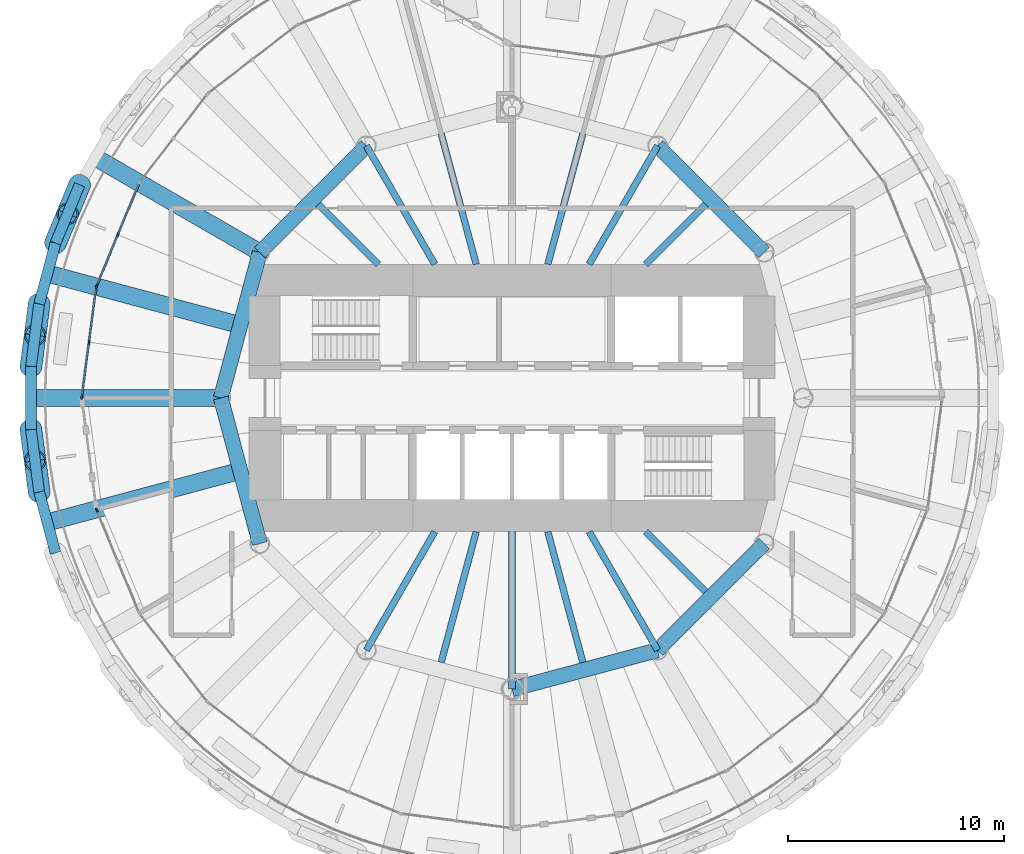
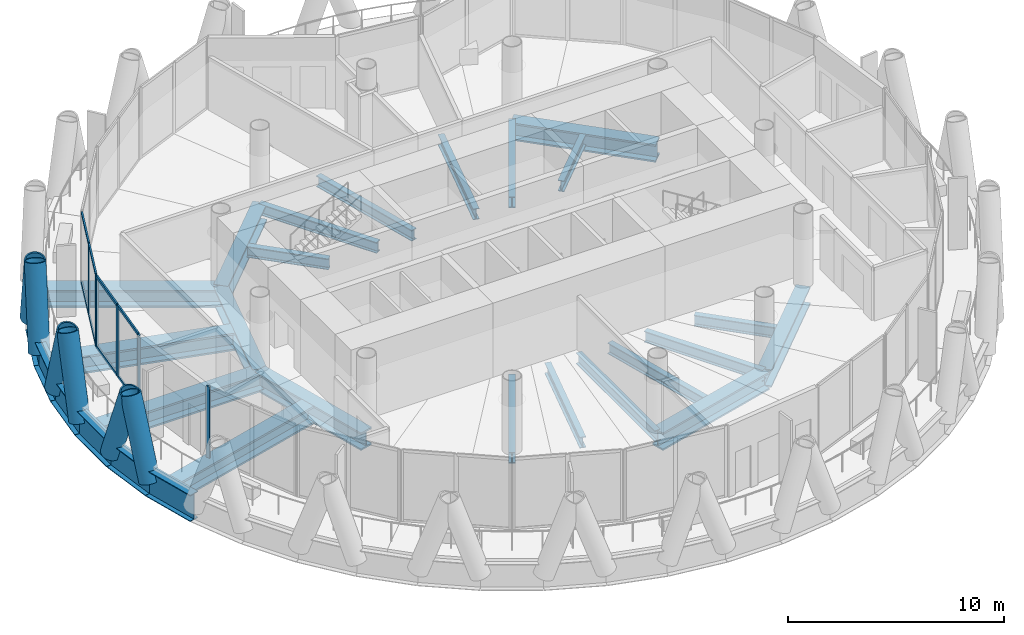
# One storey, part 3 of 14: 28 beams, 20 members, 3 elements without a shape of their own.
"""IFC4 building model written with IfcOpenShell, lengths in metres."""

from ifc_helpers import new_model, si_unit, direction, frame, origin, origin_2d, place, context, subcontext, project, spatial, rectangle, hollow_circle, i_section, extrude, material, material_profile, profile_set, type_object, element, aggregate, save


model = new_model("IFC4")

# Units and contexts
model_context = context("Model", 3, precision=1e-05, world=origin(), true_north=direction((0.0, 1.0)))
body_context = subcontext(model_context, "Body", "Model", "MODEL_VIEW")
ifc_project = project(units=[si_unit("LENGTHUNIT", "METRE"), si_unit("AREAUNIT", "SQUARE_METRE"), si_unit("VOLUMEUNIT", "CUBIC_METRE"), si_unit("PLANEANGLEUNIT", "RADIAN"), si_unit("MASSUNIT", "GRAM", prefix="KILO")], contexts=[model_context])

# Site, building, storey
site_placement = place(None, origin())
site = spatial("IfcSite", under=ifc_project, at=site_placement, CompositionType="ELEMENT")
building_placement = place(site_placement, origin())
building = spatial("IfcBuilding", under=site, at=building_placement, Name="Qaws Media Tower", CompositionType="ELEMENT")
storey_placement = place(building_placement, frame((0.0, 0.0, 248.60009765625)))
storey = spatial("IfcBuildingStorey", under=building, at=storey_placement, Name="L57", CompositionType="ELEMENT", Elevation=248.60009765625)

# Curtain wall, members
ifc_material_1 = material(Name="Aluminium and clear glass", Category="aluminium")
curtain_wall_type = type_object("IfcCurtainWallType", Name="Unitised curtain wall CW-C", PredefinedType="NOTDEFINED", material=ifc_material_1)
curtain_wall_1_placement = place(storey_placement, origin())
curtain_wall_1 = element("IfcCurtainWall", 1, at=curtain_wall_1_placement, inside=storey, type_object=curtain_wall_type, Name="CWC curtain wall L57-11", PredefinedType="NOTDEFINED")
ifc_material_2 = material(Name="Aluminium mullion", Category="aluminium")
ifc_material_profile_1 = material_profile(ifc_material_2, rectangle(XDim=0.080078125, YDim=0.199951171875, at=origin_2d()), Name="80x200")
ifc_profile_set_1 = profile_set([ifc_material_profile_1], Name="Aluminium mullion")
member_type_1 = type_object("IfcMemberType", Name="Curtain wall mullion 80x200", PredefinedType="MULLION", material=ifc_profile_set_1)
member_1_placement = place(storey_placement, frame((41.726318359375, 57.5693359375, 0.0), z_axis=(0.0, 0.0, 1.0), x_axis=(0.923879560223, -0.382683365464, 0.0)))
member_1 = element("IfcMember", 2, at=member_1_placement, type_object=member_type_1, Name="CWC mullion 2", PredefinedType="MULLION", context=body_context, shape_type="SweptSolid", body=[
    extrude(rectangle(XDim=0.080078125, YDim=0.199951171875, at=origin_2d()), origin(), (0.0, 0.0, 1.0), 4.039794921875),
])
member_2_placement = place(storey_placement, frame((40.7451171875, 55.200439453125, 0.0), z_axis=(0.0, 0.0, 1.0), x_axis=(0.923879560223, -0.382683365464, 0.0)))
member_2 = element("IfcMember", 3, at=member_2_placement, type_object=member_type_1, Name="CWC mullion 3", PredefinedType="MULLION", context=body_context, shape_type="SweptSolid", body=[
    extrude(rectangle(XDim=0.080078125, YDim=0.199951171875, at=origin_2d()), origin(), (0.0, 0.0, 1.0), 4.039794921875),
])

curtain_wall_2_placement = place(storey_placement, origin())
curtain_wall_2 = element("IfcCurtainWall", 4, at=curtain_wall_2_placement, inside=storey, type_object=curtain_wall_type, Name="CWC curtain wall L57-12", PredefinedType="NOTDEFINED")
member_3_placement = place(storey_placement, frame((40.724609375, 55.123779296875, 0.0), z_axis=(0.0, 0.0, 1.0), x_axis=(0.991444855713, -0.13052623522, 0.0)))
member_3 = element("IfcMember", 5, at=member_3_placement, type_object=member_type_1, Name="CWC mullion 1", PredefinedType="MULLION", context=body_context, shape_type="SweptSolid", body=[
    extrude(rectangle(XDim=0.080078125, YDim=0.199951171875, at=origin_2d()), origin(), (0.0, 0.0, 1.0), 4.039794921875),
])
member_4_placement = place(storey_placement, frame((40.389892578125, 52.581787109375, 0.0), z_axis=(0.0, 0.0, 1.0), x_axis=(0.991444855713, -0.13052623522, 0.0)))
member_4 = element("IfcMember", 6, at=member_4_placement, type_object=member_type_1, Name="CWC mullion 2", PredefinedType="MULLION", context=body_context, shape_type="SweptSolid", body=[
    extrude(rectangle(XDim=0.080078125, YDim=0.199951171875, at=origin_2d()), origin(), (0.0, 0.0, 1.0), 4.039794921875),
])
member_5_placement = place(storey_placement, frame((40.05517578125, 50.03955078125, 0.0), z_axis=(0.0, 0.0, 1.0), x_axis=(0.991444855713, -0.13052623522, 0.0)))
member_5 = element("IfcMember", 7, at=member_5_placement, type_object=member_type_1, Name="CWC mullion 3", PredefinedType="MULLION", context=body_context, shape_type="SweptSolid", body=[
    extrude(rectangle(XDim=0.080078125, YDim=0.199951171875, at=origin_2d()), origin(), (0.0, 0.0, 1.0), 4.039794921875),
])

# Curtain wall, member
curtain_wall_3_placement = place(storey_placement, origin())
curtain_wall_3 = element("IfcCurtainWall", 8, at=curtain_wall_3_placement, inside=storey, type_object=curtain_wall_type, Name="CWC curtain wall L57-14", PredefinedType="NOTDEFINED")
member_6_placement = place(storey_placement, frame((40.7451171875, 44.799560546875, 0.0), z_axis=(0.0, 0.0, 1.0), x_axis=(0.923879560223, 0.382683365464, 0.0)))
member_6 = element("IfcMember", 9, at=member_6_placement, type_object=member_type_1, Name="CWC mullion 1", PredefinedType="MULLION", context=body_context, shape_type="SweptSolid", body=[
    extrude(rectangle(XDim=0.080078125, YDim=0.199951171875, at=origin_2d()), origin(), (0.0, 0.0, 1.0), 4.039794921875),
])
aggregate(curtain_wall_3, [member_6])

# Member
ifc_material_3 = material(Name="Aluminium transom", Category="aluminium")
ifc_material_profile_2 = material_profile(ifc_material_3, rectangle(XDim=0.080078125, YDim=0.159912109375, at=origin_2d()), Name="80x160")
ifc_profile_set_2 = profile_set([ifc_material_profile_2], Name="Aluminium transom")
member_type_2 = type_object("IfcMemberType", Name="Curtain wall transom 80x160", PredefinedType="USERDEFINED", material=ifc_profile_set_2)
member_7_placement = place(storey_placement, frame((42.692138671875, 59.901123046875, 0.039794921875), z_axis=(-0.382632467655, -0.923900641139, 0.0), x_axis=(0.923900641139, -0.382632467655, 0.0)))
member_7 = element("IfcMember", 10, at=member_7_placement, type_object=member_type_2, Name="CWC transom 1.1", ObjectType="TRANSOM", PredefinedType="USERDEFINED", context=body_context, shape_type="SweptSolid", body=[
    extrude(rectangle(XDim=0.080078125, YDim=0.159912109375, at=origin_2d()), origin(), (0.0, 0.0, 1.0), 2.48388671875),
])

member_8_placement = place(storey_placement, frame((42.692138671875, 59.901123046875, 4.0), z_axis=(-0.382632467655, -0.923900641139, 0.0), x_axis=(0.923900641139, -0.382632467655, 0.0)))
member_8 = element("IfcMember", 11, at=member_8_placement, type_object=member_type_2, Name="CWC transom 1.2", ObjectType="TRANSOM", PredefinedType="USERDEFINED", context=body_context, shape_type="SweptSolid", body=[
    extrude(rectangle(XDim=0.080078125, YDim=0.159912109375, at=origin_2d()), origin(), (0.0, 0.0, 1.0), 2.48388671875),
])

member_9_placement = place(storey_placement, frame((41.7109375, 57.5322265625, 0.039794921875), z_axis=(-0.382632467655, -0.923900641139, 0.0), x_axis=(0.923900641139, -0.382632467655, 0.0)))
member_9 = element("IfcMember", 12, at=member_9_placement, type_object=member_type_2, Name="CWC transom 2.1", ObjectType="TRANSOM", PredefinedType="USERDEFINED", context=body_context, shape_type="SweptSolid", body=[
    extrude(rectangle(XDim=0.080078125, YDim=0.159912109375, at=origin_2d()), origin(), (0.0, 0.0, 1.0), 2.48388671875),
])

member_10_placement = place(storey_placement, frame((41.7109375, 57.5322265625, 4.0), z_axis=(-0.382632467655, -0.923900641139, 0.0), x_axis=(0.923900641139, -0.382632467655, 0.0)))
member_10 = element("IfcMember", 13, at=member_10_placement, type_object=member_type_2, Name="CWC transom 2.2", ObjectType="TRANSOM", PredefinedType="USERDEFINED", context=body_context, shape_type="SweptSolid", body=[
    extrude(rectangle(XDim=0.080078125, YDim=0.159912109375, at=origin_2d()), origin(), (0.0, 0.0, 1.0), 2.48388671875),
])

aggregate(curtain_wall_1, [member_1, member_2, member_7, member_8, member_9, member_10])

member_11_placement = place(storey_placement, frame((40.71923828125, 55.084228515625, 0.039794921875), z_axis=(-0.130515527399, -0.991446265366, 0.0), x_axis=(0.991446265366, -0.130515527399, 0.0)))
member_11 = element("IfcMember", 14, at=member_11_placement, type_object=member_type_2, Name="CWC transom 1.1", ObjectType="TRANSOM", PredefinedType="USERDEFINED", context=body_context, shape_type="SweptSolid", body=[
    extrude(rectangle(XDim=0.080078125, YDim=0.159912109375, at=origin_2d()), origin(), (0.0, 0.0, 1.0), 2.484130859375),
])

member_12_placement = place(storey_placement, frame((40.71923828125, 55.084228515625, 4.0), z_axis=(-0.130515527399, -0.991446265366, 0.0), x_axis=(0.991446265366, -0.130515527399, 0.0)))
member_12 = element("IfcMember", 15, at=member_12_placement, type_object=member_type_2, Name="CWC transom 1.2", ObjectType="TRANSOM", PredefinedType="USERDEFINED", context=body_context, shape_type="SweptSolid", body=[
    extrude(rectangle(XDim=0.080078125, YDim=0.159912109375, at=origin_2d()), origin(), (0.0, 0.0, 1.0), 2.484130859375),
])

member_13_placement = place(storey_placement, frame((40.384765625, 52.5419921875, 0.039794921875), z_axis=(-0.130528245944, -0.991444590994, 0.0), x_axis=(0.991444590994, -0.130528245944, 0.0)))
member_13 = element("IfcMember", 16, at=member_13_placement, type_object=member_type_2, Name="CWC transom 2.1", ObjectType="TRANSOM", PredefinedType="USERDEFINED", context=body_context, shape_type="SweptSolid", body=[
    extrude(rectangle(XDim=0.080078125, YDim=0.159912109375, at=origin_2d()), origin(), (0.0, 0.0, 1.0), 2.48388671875),
])

member_14_placement = place(storey_placement, frame((40.384765625, 52.5419921875, 4.0), z_axis=(-0.130528245944, -0.991444590994, 0.0), x_axis=(0.991444590994, -0.130528245944, 0.0)))
member_14 = element("IfcMember", 17, at=member_14_placement, type_object=member_type_2, Name="CWC transom 2.2", ObjectType="TRANSOM", PredefinedType="USERDEFINED", context=body_context, shape_type="SweptSolid", body=[
    extrude(rectangle(XDim=0.080078125, YDim=0.159912109375, at=origin_2d()), origin(), (0.0, 0.0, 1.0), 2.48388671875),
])

aggregate(curtain_wall_2, [member_3, member_4, member_5, member_11, member_12, member_13, member_14])

# Members
ifc_material_4 = material(Name="Steel S460", Category="steel")
ifc_material_profile_3 = material_profile(ifc_material_4, hollow_circle(Radius=0.508056640625, WallThickness=0.070068359375, at=origin_2d()), Name="CHS 1016x70")
ifc_profile_set_3 = profile_set([ifc_material_profile_3], Name="Steel S460")
member_type_3 = type_object("IfcMemberType", Name="Diagrid member CHS 1016x70", PredefinedType="USERDEFINED", material=ifc_profile_set_3)
for number, where, z_axis, x_axis, name in (
    (18, (39.954833984375, 59.88525390625, -0.91015625), (-0.125335260643, -0.303868010364, 0.944433854072), (0.924449640149, -0.381304160517, 0.0), "DG3 diagrid L57 A11"),
    (19, (38.079345703125, 54.3603515625, -0.91015625), (-0.042381833377, -0.325988765013, 0.944423160074), (0.991654336332, -0.128925083807, 0.0), "DG3 diagrid L57 A12"),
    (20, (38.836181640625, 57.18408203125, -0.91015625), (0.126212332869, 0.303535445165, 0.944423994062), (-0.923358307497, 0.383939364973, 0.0), "DG3 diagrid L57 B12"),
    (21, (37.69775390625, 48.538330078125, -0.91015625), (0.043425297119, -0.325826976487, 0.944431588292), (0.991235192413, 0.13210902059, 0.0), "DG3 diagrid L57 A13"),
    (22, (37.69775390625, 51.461669921875, -0.91015625), (0.043425297119, 0.325826976487, 0.944431588292), (-0.991235192413, 0.13210902059, 0.0), "DG3 diagrid L57 B13"),
    (23, (38.079345703125, 45.6396484375, -0.91015625), (-0.042381833377, 0.325988765013, 0.944423160074), (-0.991654336332, -0.128925083807, 0.0), "DG3 diagrid L57 B14"),
):
    element("IfcMember", number, at=place(storey_placement, frame(where, z_axis=z_axis, x_axis=x_axis)), inside=storey, type_object=member_type_3, Name=name, ObjectType="DIAGRID", PredefinedType="USERDEFINED", context=body_context, shape_type="SweptSolid", body=[
        extrude(hollow_circle(Radius=0.508056640625, WallThickness=0.070068359375, at=origin_2d()), origin(), (0.0, 0.0, 1.0), 4.447021484375),
    ])

# Beams
ifc_material_5 = material(Name="Steel S460", Category="steel")
ifc_material_profile_4 = material_profile(ifc_material_5, i_section(OverallWidth=0.5, OverallDepth=1.5, WebThickness=0.02001953125, FlangeThickness=0.0400390625, at=origin_2d()), Name="PG 1500x500")
ifc_profile_set_4 = profile_set([ifc_material_profile_4], Name="Steel S460")
beam_type_1 = type_object("IfcBeamType", Name="Edge ring beam PG 1500x500", PredefinedType="BEAM", material=ifc_profile_set_4)
beam_1_placement = place(storey_placement, frame((39.954833984375, 59.88525390625, -0.91015625), z_axis=(-0.382622215492, -0.923904886994, 0.0), x_axis=(0.923904886994, -0.382622215492, 0.0)))
element("IfcBeam", 24, at=beam_1_placement, inside=storey, type_object=beam_type_1, Name="RB4 edge ring beam L57-21", PredefinedType="BEAM", context=body_context, shape_type="SweptSolid", body=[
    extrude(i_section(OverallWidth=0.5, OverallDepth=1.5, WebThickness=0.02001953125, FlangeThickness=0.0400390625, at=origin_2d()), origin(), (0.0, 0.0, 1.0), 2.923583984375),
])
beam_2_placement = place(storey_placement, frame((38.836181640625, 57.18408203125, -0.91015625), z_axis=(-0.258889142904, -0.965907040913, 0.0), x_axis=(0.965907040913, -0.258889142904, 0.0)))
element("IfcBeam", 25, at=beam_2_placement, inside=storey, type_object=beam_type_1, Name="RB4 edge ring beam L57-22", PredefinedType="BEAM", context=body_context, shape_type="SweptSolid", body=[
    extrude(i_section(OverallWidth=0.5, OverallDepth=1.5, WebThickness=0.02001953125, FlangeThickness=0.0400390625, at=origin_2d()), origin(), (0.0, 0.0, 1.0), 2.92333984375),
])
beam_3_placement = place(storey_placement, frame((38.079345703125, 54.3603515625, -0.91015625), z_axis=(-0.130517154715, -0.991446051142, 0.0), x_axis=(0.991446051142, -0.130517154715, 0.0)))
element("IfcBeam", 26, at=beam_3_placement, inside=storey, type_object=beam_type_1, Name="RB4 edge ring beam L57-23", PredefinedType="BEAM", context=body_context, shape_type="SweptSolid", body=[
    extrude(i_section(OverallWidth=0.5, OverallDepth=1.5, WebThickness=0.02001953125, FlangeThickness=0.0400390625, at=origin_2d()), origin(), (0.0, 0.0, 1.0), 2.923583984375),
])
beam_4_placement = place(storey_placement, frame((37.69775390625, 51.461669921875, -0.91015625), z_axis=(0.0, -1.0, 0.0), x_axis=(1.0, 0.0, 0.0)))
element("IfcBeam", 27, at=beam_4_placement, inside=storey, type_object=beam_type_1, Name="RB4 edge ring beam L57-24", PredefinedType="BEAM", context=body_context, shape_type="SweptSolid", body=[
    extrude(i_section(OverallWidth=0.5, OverallDepth=1.5, WebThickness=0.02001953125, FlangeThickness=0.0400390625, at=origin_2d()), origin(), (0.0, 0.0, 1.0), 2.92333984375),
])
beam_5_placement = place(storey_placement, frame((37.69775390625, 48.538330078125, -0.91015625), z_axis=(0.130517154715, -0.991446051142, 0.0), x_axis=(0.991446051142, 0.130517154715, 0.0)))
element("IfcBeam", 28, at=beam_5_placement, inside=storey, type_object=beam_type_1, Name="RB4 edge ring beam L57-25", PredefinedType="BEAM", context=body_context, shape_type="SweptSolid", body=[
    extrude(i_section(OverallWidth=0.5, OverallDepth=1.5, WebThickness=0.02001953125, FlangeThickness=0.0400390625, at=origin_2d()), origin(), (0.0, 0.0, 1.0), 2.923583984375),
])
beam_6_placement = place(storey_placement, frame((38.079345703125, 45.6396484375, -0.91015625), z_axis=(0.258889142904, -0.965907040913, 0.0), x_axis=(0.965907040913, 0.258889142904, 0.0)))
element("IfcBeam", 29, at=beam_6_placement, inside=storey, type_object=beam_type_1, Name="RB4 edge ring beam L57-26", PredefinedType="BEAM", context=body_context, shape_type="SweptSolid", body=[
    extrude(i_section(OverallWidth=0.5, OverallDepth=1.5, WebThickness=0.02001953125, FlangeThickness=0.0400390625, at=origin_2d()), origin(), (0.0, 0.0, 1.0), 2.92333984375),
])
ifc_material_6 = material(Name="Steel S460", Category="steel")
ifc_material_profile_5 = material_profile(ifc_material_6, i_section(OverallWidth=0.699951171875, OverallDepth=1.0, WebThickness=0.034912109375, FlangeThickness=0.090087890625, at=origin_2d()), Name="PG 1000x700")
ifc_profile_set_5 = profile_set([ifc_material_profile_5], Name="Steel S460")
beam_type_2 = type_object("IfcBeamType", Name="Inner ring girder PG 1000x700", PredefinedType="BEAM", material=ifc_profile_set_5)
for number, where, z_axis, x_axis, name in (
    (30, (71.69140625, 56.75, -0.66015625), (-0.707106781187, 0.707106781187, 0.0), (-0.707106781187, -0.707106781187, 0.0), "B3 inner ring beam L57 I02-I03"),
    (31, (53.25, 61.69140625, -0.66015625), (-0.707106781187, -0.707106781187, 0.0), (0.707106781187, -0.707106781187, 0.0), "B3 inner ring beam L57 I05-I06"),
):
    element("IfcBeam", number, at=place(storey_placement, frame(where, z_axis=z_axis, x_axis=x_axis)), inside=storey, type_object=beam_type_2, Name=name, PredefinedType="BEAM", context=body_context, shape_type="SweptSolid", body=[
        extrude(i_section(OverallWidth=0.699951171875, OverallDepth=1.0, WebThickness=0.034912109375, FlangeThickness=0.090087890625, at=origin_2d()), origin(), (0.0, 0.0, 1.0), 6.98828125),
    ])
for number, where, z_axis, x_axis, name in (
    (32, (48.30859375, 56.75, -0.66015625), (-0.258810593767, -0.965928090778, 0.0), (0.965928090778, -0.258810593767, 0.0), "B3 inner ring beam L57 I06-I07"),
    (33, (46.5, 50.0, -0.66015625), (0.258810593767, -0.965928090778, 0.0), (0.965928090778, 0.258810593767, 0.0), "B3 inner ring beam L57 I07-I08"),
    (34, (60.0, 36.5, -0.66015625), (0.965928090778, 0.258810593767, 0.0), (-0.258810593767, 0.965928090778, 0.0), "B3 inner ring beam L57 I10-I11"),
):
    element("IfcBeam", number, at=place(storey_placement, frame(where, z_axis=z_axis, x_axis=x_axis)), inside=storey, type_object=beam_type_2, Name=name, PredefinedType="BEAM", context=body_context, shape_type="SweptSolid", body=[
        extrude(i_section(OverallWidth=0.699951171875, OverallDepth=1.0, WebThickness=0.034912109375, FlangeThickness=0.090087890625, at=origin_2d()), origin(), (0.0, 0.0, 1.0), 6.988037109375),
    ])
beam_7_placement = place(storey_placement, frame((66.75, 38.30859375, -0.66015625), z_axis=(0.707106781187, 0.707106781187, 0.0), x_axis=(-0.707106781187, 0.707106781187, 0.0)))
element("IfcBeam", 35, at=beam_7_placement, inside=storey, type_object=beam_type_2, Name="B3 inner ring beam L57 I11-I12", PredefinedType="BEAM", context=body_context, shape_type="SweptSolid", body=[
    extrude(i_section(OverallWidth=0.699951171875, OverallDepth=1.0, WebThickness=0.034912109375, FlangeThickness=0.090087890625, at=origin_2d()), origin(), (0.0, 0.0, 1.0), 6.98828125),
])
ifc_material_7 = material(Name="Steel S355", Category="steel")
ifc_material_profile_6 = material_profile(ifc_material_7, i_section(OverallWidth=0.304931640625, OverallDepth=0.6201171875, WebThickness=0.02099609375, FlangeThickness=0.0400390625, FilletRadius=0.027099609375, at=origin_2d()), Name="HE 600 M")
ifc_profile_set_6 = profile_set([ifc_material_profile_6], Name="Steel S355")
beam_type_3 = type_object("IfcBeamType", Name="Radial beam HE 600 M, core side", PredefinedType="BEAM", material=ifc_profile_set_6)
beam_8_placement = place(storey_placement, frame((66.199951171875, 56.199951171875, -0.47021484375), z_axis=(0.707106781187, 0.707106781187, 0.0), x_axis=(-0.707106781187, 0.707106781187, 0.0)))
element("IfcBeam", 36, at=beam_8_placement, inside=storey, type_object=beam_type_3, Name="B2 radial beam L57 04", PredefinedType="BEAM", context=body_context, shape_type="SweptSolid", body=[
    extrude(i_section(OverallWidth=0.304931640625, OverallDepth=0.6201171875, WebThickness=0.02099609375, FlangeThickness=0.0400390625, FilletRadius=0.027099609375, at=origin_2d()), origin(), (0.0, 0.0, 1.0), 3.921875),
])
beam_9_placement = place(storey_placement, frame((63.57958984375, 56.199951171875, -0.47021484375), z_axis=(0.499990193304, 0.866031065609, 0.0), x_axis=(-0.866031065609, 0.499990193304, 0.0)))
element("IfcBeam", 37, at=beam_9_placement, inside=storey, type_object=beam_type_3, Name="B2 radial beam L57 05", PredefinedType="BEAM", context=body_context, shape_type="SweptSolid", body=[
    extrude(i_section(OverallWidth=0.304931640625, OverallDepth=0.6201171875, WebThickness=0.02099609375, FlangeThickness=0.0400390625, FilletRadius=0.027099609375, at=origin_2d()), origin(), (0.0, 0.0, 1.0), 6.341064453125),
])
for number, where, z_axis, x_axis, name in (
    (38, (61.661376953125, 56.199951171875, -0.47021484375), (0.258806137559, 0.965929284763, 0.0), (-0.965929284763, 0.258806137559, 0.0), "B2 radial beam L57 06"),
    (39, (58.338623046875, 56.199951171875, -0.47021484375), (-0.258806137559, 0.965929284763, 0.0), (-0.965929284763, -0.258806137559, 0.0), "B2 radial beam L57 08"),
):
    element("IfcBeam", number, at=place(storey_placement, frame(where, z_axis=z_axis, x_axis=x_axis)), inside=storey, type_object=beam_type_3, Name=name, PredefinedType="BEAM", context=body_context, shape_type="SweptSolid", body=[
        extrude(i_section(OverallWidth=0.304931640625, OverallDepth=0.6201171875, WebThickness=0.02099609375, FlangeThickness=0.0400390625, FilletRadius=0.027099609375, at=origin_2d()), origin(), (0.0, 0.0, 1.0), 6.271240234375),
    ])
beam_10_placement = place(storey_placement, frame((56.42041015625, 56.199951171875, -0.47021484375), z_axis=(-0.499990193304, 0.866031065609, 0.0), x_axis=(-0.866031065609, -0.499990193304, 0.0)))
element("IfcBeam", 40, at=beam_10_placement, inside=storey, type_object=beam_type_3, Name="B2 radial beam L57 09", PredefinedType="BEAM", context=body_context, shape_type="SweptSolid", body=[
    extrude(i_section(OverallWidth=0.304931640625, OverallDepth=0.6201171875, WebThickness=0.02099609375, FlangeThickness=0.0400390625, FilletRadius=0.027099609375, at=origin_2d()), origin(), (0.0, 0.0, 1.0), 6.341064453125),
])
beam_11_placement = place(storey_placement, frame((53.800048828125, 56.199951171875, -0.47021484375), z_axis=(-0.707106781187, 0.707106781187, 0.0), x_axis=(-0.707106781187, -0.707106781187, 0.0)))
element("IfcBeam", 41, at=beam_11_placement, inside=storey, type_object=beam_type_3, Name="B2 radial beam L57 10", PredefinedType="BEAM", context=body_context, shape_type="SweptSolid", body=[
    extrude(i_section(OverallWidth=0.304931640625, OverallDepth=0.6201171875, WebThickness=0.02099609375, FlangeThickness=0.0400390625, FilletRadius=0.027099609375, at=origin_2d()), origin(), (0.0, 0.0, 1.0), 3.921875),
])
beam_12_placement = place(storey_placement, frame((56.42041015625, 43.800048828125, -0.47021484375), z_axis=(-0.499990193304, -0.866031065609, 0.0), x_axis=(0.866031065609, -0.499990193304, 0.0)))
element("IfcBeam", 42, at=beam_12_placement, inside=storey, type_object=beam_type_3, Name="B2 radial beam L57 17", PredefinedType="BEAM", context=body_context, shape_type="SweptSolid", body=[
    extrude(i_section(OverallWidth=0.304931640625, OverallDepth=0.6201171875, WebThickness=0.02099609375, FlangeThickness=0.0400390625, FilletRadius=0.027099609375, at=origin_2d()), origin(), (0.0, 0.0, 1.0), 6.341064453125),
])
beam_13_placement = place(storey_placement, frame((58.338623046875, 43.800048828125, -0.47021484375), z_axis=(-0.258806137559, -0.965929284763, 0.0), x_axis=(0.965929284763, -0.258806137559, 0.0)))
element("IfcBeam", 43, at=beam_13_placement, inside=storey, type_object=beam_type_3, Name="B2 radial beam L57 18", PredefinedType="BEAM", context=body_context, shape_type="SweptSolid", body=[
    extrude(i_section(OverallWidth=0.304931640625, OverallDepth=0.6201171875, WebThickness=0.02099609375, FlangeThickness=0.0400390625, FilletRadius=0.027099609375, at=origin_2d()), origin(), (0.0, 0.0, 1.0), 6.271240234375),
])
beam_14_placement = place(storey_placement, frame((60.0, 43.800048828125, -0.47021484375), z_axis=(0.0, -1.0, 0.0), x_axis=(1.0, 0.0, 0.0)))
element("IfcBeam", 44, at=beam_14_placement, inside=storey, type_object=beam_type_3, Name="B2 radial beam L57 19", PredefinedType="BEAM", context=body_context, shape_type="SweptSolid", body=[
    extrude(i_section(OverallWidth=0.304931640625, OverallDepth=0.6201171875, WebThickness=0.02099609375, FlangeThickness=0.0400390625, FilletRadius=0.027099609375, at=origin_2d()), origin(), (0.0, 0.0, 1.0), 7.300048828125),
])
beam_15_placement = place(storey_placement, frame((61.661376953125, 43.800048828125, -0.47021484375), z_axis=(0.258806137559, -0.965929284763, 0.0), x_axis=(0.965929284763, 0.258806137559, 0.0)))
element("IfcBeam", 45, at=beam_15_placement, inside=storey, type_object=beam_type_3, Name="B2 radial beam L57 20", PredefinedType="BEAM", context=body_context, shape_type="SweptSolid", body=[
    extrude(i_section(OverallWidth=0.304931640625, OverallDepth=0.6201171875, WebThickness=0.02099609375, FlangeThickness=0.0400390625, FilletRadius=0.027099609375, at=origin_2d()), origin(), (0.0, 0.0, 1.0), 6.271240234375),
])
beam_16_placement = place(storey_placement, frame((63.57958984375, 43.800048828125, -0.47021484375), z_axis=(0.499990193304, -0.866031065609, 0.0), x_axis=(0.866031065609, 0.499990193304, 0.0)))
element("IfcBeam", 46, at=beam_16_placement, inside=storey, type_object=beam_type_3, Name="B2 radial beam L57 21", PredefinedType="BEAM", context=body_context, shape_type="SweptSolid", body=[
    extrude(i_section(OverallWidth=0.304931640625, OverallDepth=0.6201171875, WebThickness=0.02099609375, FlangeThickness=0.0400390625, FilletRadius=0.027099609375, at=origin_2d()), origin(), (0.0, 0.0, 1.0), 6.341064453125),
])
beam_17_placement = place(storey_placement, frame((66.199951171875, 43.800048828125, -0.47021484375), z_axis=(0.707106781187, -0.707106781187, 0.0), x_axis=(0.707106781187, 0.707106781187, 0.0)))
element("IfcBeam", 47, at=beam_17_placement, inside=storey, type_object=beam_type_3, Name="B2 radial beam L57 22", PredefinedType="BEAM", context=body_context, shape_type="SweptSolid", body=[
    extrude(i_section(OverallWidth=0.304931640625, OverallDepth=0.6201171875, WebThickness=0.02099609375, FlangeThickness=0.0400390625, FilletRadius=0.027099609375, at=origin_2d()), origin(), (0.0, 0.0, 1.0), 3.921875),
])
ifc_material_8 = material(Name="Steel S460", Category="steel")
ifc_material_profile_7 = material_profile(ifc_material_8, i_section(OverallWidth=0.800048828125, OverallDepth=1.0, WebThickness=0.0400390625, FlangeThickness=0.10009765625, at=origin_2d()), Name="PG 1000x800")
ifc_profile_set_7 = profile_set([ifc_material_profile_7], Name="Steel S460")
beam_type_4 = type_object("IfcBeamType", Name="Radial girder PG 1000x800", PredefinedType="BEAM", material=ifc_profile_set_7)
beam_18_placement = place(storey_placement, frame((48.30859375, 56.75, -0.66015625), z_axis=(-0.866020689157, 0.500008165885, 0.0), x_axis=(-0.500008165885, -0.866020689157, 0.0)))
element("IfcBeam", 48, at=beam_18_placement, inside=storey, type_object=beam_type_4, Name="B1 radial beam L57 11", PredefinedType="BEAM", context=body_context, shape_type="SweptSolid", body=[
    extrude(i_section(OverallWidth=0.800048828125, OverallDepth=1.0, WebThickness=0.0400390625, FlangeThickness=0.10009765625, at=origin_2d()), origin(), (0.0, 0.0, 1.0), 8.802001953125),
])
beam_19_placement = place(storey_placement, frame((47.066162109375, 53.465576171875, -0.66015625), z_axis=(-0.965925062839, 0.258821894319, 0.0), x_axis=(-0.258821894319, -0.965925062839, 0.0)))
element("IfcBeam", 49, at=beam_19_placement, inside=storey, type_object=beam_type_4, Name="B1 radial beam L57 12", PredefinedType="BEAM", context=body_context, shape_type="SweptSolid", body=[
    extrude(i_section(OverallWidth=0.800048828125, OverallDepth=1.0, WebThickness=0.0400390625, FlangeThickness=0.10009765625, at=origin_2d()), origin(), (0.0, 0.0, 1.0), 8.912109375),
])
beam_20_placement = place(storey_placement, frame((46.5, 50.0, -0.66015625), z_axis=(-1.0, 0.0, 0.0), x_axis=(0.0, -1.0, 0.0)))
element("IfcBeam", 50, at=beam_20_placement, inside=storey, type_object=beam_type_4, Name="B1 radial beam L57 13", PredefinedType="BEAM", context=body_context, shape_type="SweptSolid", body=[
    extrude(i_section(OverallWidth=0.800048828125, OverallDepth=1.0, WebThickness=0.0400390625, FlangeThickness=0.10009765625, at=origin_2d()), origin(), (0.0, 0.0, 1.0), 8.80224609375),
])
beam_21_placement = place(storey_placement, frame((47.066162109375, 46.534423828125, -0.66015625), z_axis=(-0.965925062839, -0.258821894319, 0.0), x_axis=(0.258821894319, -0.965925062839, 0.0)))
element("IfcBeam", 51, at=beam_21_placement, inside=storey, type_object=beam_type_4, Name="B1 radial beam L57 14", PredefinedType="BEAM", context=body_context, shape_type="SweptSolid", body=[
    extrude(i_section(OverallWidth=0.800048828125, OverallDepth=1.0, WebThickness=0.0400390625, FlangeThickness=0.10009765625, at=origin_2d()), origin(), (0.0, 0.0, 1.0), 8.912109375),
])

save(model, "model.ifc")
